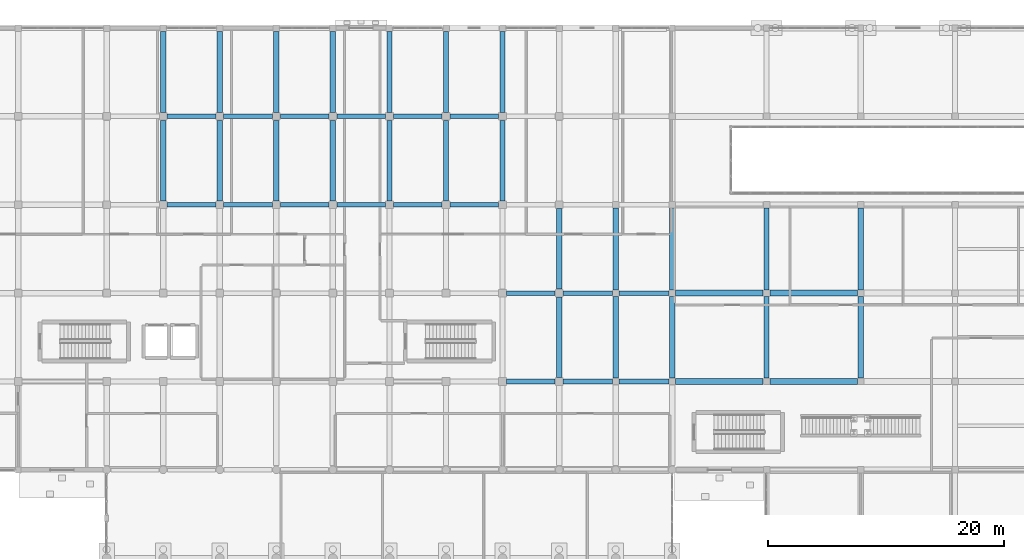
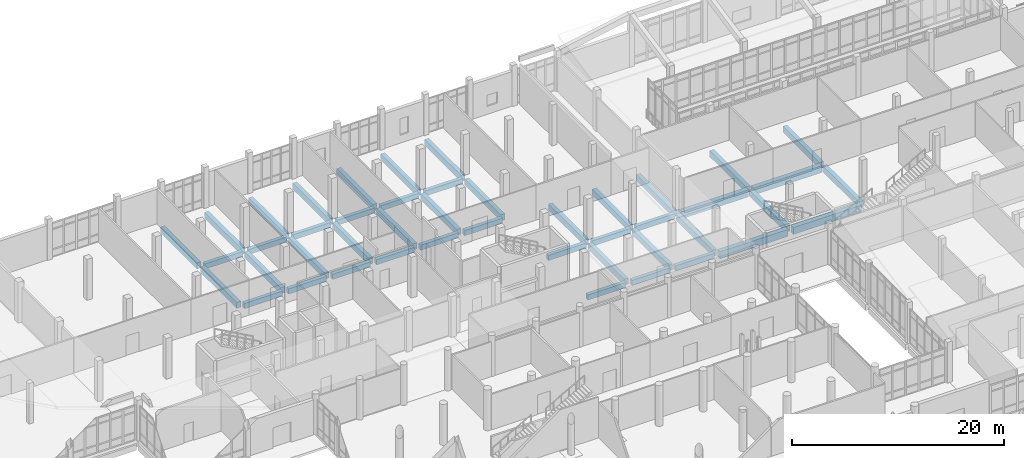
# One storey, part 80 of 173: 46 beams.
"""IFC4 building model written with IfcOpenShell, lengths in metres."""

from ifc_helpers import new_model, si_unit, direction, frame, origin, origin_2d, place, context, subcontext, project, spatial, rectangle, extrude, material, material_profile, profile_set, type_object, element, save


model = new_model("IFC4")

# Units and contexts
model_context = context("Model", 3, precision=1e-05, world=origin(), true_north=direction((0.0, 1.0)))
body_context = subcontext(model_context, "Body", "Model", "MODEL_VIEW")
ifc_project = project(units=[si_unit("LENGTHUNIT", "METRE"), si_unit("AREAUNIT", "SQUARE_METRE"), si_unit("VOLUMEUNIT", "CUBIC_METRE"), si_unit("PLANEANGLEUNIT", "RADIAN"), si_unit("MASSUNIT", "GRAM", prefix="KILO")], contexts=[model_context])

# Site, building, storey
site_placement = place(None, origin())
site = spatial("IfcSite", under=ifc_project, at=site_placement, CompositionType="ELEMENT")
building_placement = place(site_placement, origin())
building = spatial("IfcBuilding", under=site, at=building_placement, Name="Mawjan Specialist Oncology Clinic", CompositionType="ELEMENT")
storey_placement = place(building_placement, origin())
storey = spatial("IfcBuildingStorey", under=building, at=storey_placement, Name="L00", CompositionType="ELEMENT", Elevation=0.0)

# Beams
ifc_material_1 = material(Name="Concrete C40/50", Category="concrete")
ifc_material_profile_1 = material_profile(ifc_material_1, rectangle(XDim=0.39990234375, YDim=0.60009765625, at=origin_2d()), Name="RC BM 400x600", Category="concrete")
ifc_profile_set_1 = profile_set([ifc_material_profile_1], Name="Concrete C40/50")
beam_type_1 = type_object("IfcBeamType", Name="BM-400x600", PredefinedType="BEAM", material=ifc_profile_set_1)
beam_1_placement = place(storey_placement, frame((93.93505859375, 83.300048828125, -0.719970703125), z_axis=(1.0, 0.0, 0.0), x_axis=(0.0, 1.0, 0.0)))
element("IfcBeam", 1, at=beam_1_placement, inside=storey, type_object=beam_type_1, Name="L00 Collector Beam BM-L00-0035", PredefinedType="BEAM", context=body_context, shape_type="SweptSolid", body=[
    extrude(rectangle(XDim=0.39990234375, YDim=0.60009765625, at=origin_2d()), origin(), (0.0, 0.0, 1.0), 4.1298828125),
])
beam_2_placement = place(storey_placement, frame((98.735107421875, 83.300048828125, -0.719970703125), z_axis=(1.0, 0.0, 0.0), x_axis=(0.0, 1.0, 0.0)))
element("IfcBeam", 2, at=beam_2_placement, inside=storey, type_object=beam_type_1, Name="L00 Collector Beam BM-L00-0036", PredefinedType="BEAM", context=body_context, shape_type="SweptSolid", body=[
    extrude(rectangle(XDim=0.39990234375, YDim=0.60009765625, at=origin_2d()), origin(), (0.0, 0.0, 1.0), 4.179931640625),
])
beam_3_placement = place(storey_placement, frame((103.485107421875, 83.300048828125, -0.719970703125), z_axis=(1.0, 0.0, 0.0), x_axis=(0.0, 1.0, 0.0)))
element("IfcBeam", 3, at=beam_3_placement, inside=storey, type_object=beam_type_1, Name="L00 Collector Beam BM-L00-0037", PredefinedType="BEAM", context=body_context, shape_type="SweptSolid", body=[
    extrude(rectangle(XDim=0.39990234375, YDim=0.60009765625, at=origin_2d()), origin(), (0.0, 0.0, 1.0), 4.22998046875),
])
beam_4_placement = place(storey_placement, frame((93.93505859375, 90.800048828125, -0.719970703125), z_axis=(1.0, 0.0, 0.0), x_axis=(0.0, 1.0, 0.0)))
element("IfcBeam", 4, at=beam_4_placement, inside=storey, type_object=beam_type_1, Name="L00 Collector Beam BM-L00-0054", PredefinedType="BEAM", context=body_context, shape_type="SweptSolid", body=[
    extrude(rectangle(XDim=0.39990234375, YDim=0.60009765625, at=origin_2d()), origin(), (0.0, 0.0, 1.0), 4.1298828125),
])
beam_5_placement = place(storey_placement, frame((98.735107421875, 90.800048828125, -0.719970703125), z_axis=(1.0, 0.0, 0.0), x_axis=(0.0, 1.0, 0.0)))
element("IfcBeam", 5, at=beam_5_placement, inside=storey, type_object=beam_type_1, Name="L00 Collector Beam BM-L00-0055", PredefinedType="BEAM", context=body_context, shape_type="SweptSolid", body=[
    extrude(rectangle(XDim=0.39990234375, YDim=0.60009765625, at=origin_2d()), origin(), (0.0, 0.0, 1.0), 4.179931640625),
])
beam_6_placement = place(storey_placement, frame((103.485107421875, 90.800048828125, -0.719970703125), z_axis=(1.0, 0.0, 0.0), x_axis=(0.0, 1.0, 0.0)))
element("IfcBeam", 6, at=beam_6_placement, inside=storey, type_object=beam_type_1, Name="L00 Collector Beam BM-L00-0056", PredefinedType="BEAM", context=body_context, shape_type="SweptSolid", body=[
    extrude(rectangle(XDim=0.39990234375, YDim=0.60009765625, at=origin_2d()), origin(), (0.0, 0.0, 1.0), 4.22998046875),
])
for number, where, z_axis, x_axis, name in (
    (7, (65.135009765625, 98.300048828125, -0.719970703125), (1.0, 0.0, 0.0), (0.0, 1.0, 0.0), "L00 Collector Beam BM-L00-0067"),
    (8, (69.93505859375, 98.300048828125, -0.719970703125), (1.0, 0.0, 0.0), (0.0, 1.0, 0.0), "L00 Collector Beam BM-L00-0068"),
    (9, (74.735107421875, 98.300048828125, -0.719970703125), (1.0, 0.0, 0.0), (0.0, 1.0, 0.0), "L00 Collector Beam BM-L00-0069"),
):
    element("IfcBeam", number, at=place(storey_placement, frame(where, z_axis=z_axis, x_axis=x_axis)), inside=storey, type_object=beam_type_1, Name=name, PredefinedType="BEAM", context=body_context, shape_type="SweptSolid", body=[
        extrude(rectangle(XDim=0.39990234375, YDim=0.60009765625, at=origin_2d()), origin(), (0.0, 0.0, 1.0), 4.1298828125),
    ])
for number, where, z_axis, x_axis, name in (
    (10, (79.534912109375, 98.300048828125, -0.719970703125), (1.0, 0.0, 0.0), (0.0, 1.0, 0.0), "L00 Collector Beam BM-L00-0070"),
    (11, (84.3349609375, 98.300048828125, -0.719970703125), (1.0, 0.0, 0.0), (0.0, 1.0, 0.0), "L00 Collector Beam BM-L00-0071"),
):
    element("IfcBeam", number, at=place(storey_placement, frame(where, z_axis=z_axis, x_axis=x_axis)), inside=storey, type_object=beam_type_1, Name=name, PredefinedType="BEAM", context=body_context, shape_type="SweptSolid", body=[
        extrude(rectangle(XDim=0.39990234375, YDim=0.60009765625, at=origin_2d()), origin(), (0.0, 0.0, 1.0), 4.130126953125),
    ])
for number, where, z_axis, x_axis, name in (
    (12, (89.135009765625, 98.300048828125, -0.719970703125), (1.0, 0.0, 0.0), (0.0, 1.0, 0.0), "L00 Collector Beam BM-L00-0072"),
    (13, (65.135009765625, 105.800048828125, -0.719970703125), (1.0, 0.0, 0.0), (0.0, 1.0, 0.0), "L00 Collector Beam BM-L00-0086"),
    (14, (69.93505859375, 105.800048828125, -0.719970703125), (1.0, 0.0, 0.0), (0.0, 1.0, 0.0), "L00 Collector Beam BM-L00-0087"),
    (15, (74.735107421875, 105.800048828125, -0.719970703125), (1.0, 0.0, 0.0), (0.0, 1.0, 0.0), "L00 Collector Beam BM-L00-0088"),
):
    element("IfcBeam", number, at=place(storey_placement, frame(where, z_axis=z_axis, x_axis=x_axis)), inside=storey, type_object=beam_type_1, Name=name, PredefinedType="BEAM", context=body_context, shape_type="SweptSolid", body=[
        extrude(rectangle(XDim=0.39990234375, YDim=0.60009765625, at=origin_2d()), origin(), (0.0, 0.0, 1.0), 4.1298828125),
    ])
for number, where, z_axis, x_axis, name in (
    (16, (79.534912109375, 105.800048828125, -0.719970703125), (1.0, 0.0, 0.0), (0.0, 1.0, 0.0), "L00 Collector Beam BM-L00-0089"),
    (17, (84.3349609375, 105.800048828125, -0.719970703125), (1.0, 0.0, 0.0), (0.0, 1.0, 0.0), "L00 Collector Beam BM-L00-0090"),
):
    element("IfcBeam", number, at=place(storey_placement, frame(where, z_axis=z_axis, x_axis=x_axis)), inside=storey, type_object=beam_type_1, Name=name, PredefinedType="BEAM", context=body_context, shape_type="SweptSolid", body=[
        extrude(rectangle(XDim=0.39990234375, YDim=0.60009765625, at=origin_2d()), origin(), (0.0, 0.0, 1.0), 4.130126953125),
    ])
beam_7_placement = place(storey_placement, frame((89.135009765625, 105.800048828125, -0.719970703125), z_axis=(1.0, 0.0, 0.0), x_axis=(0.0, 1.0, 0.0)))
element("IfcBeam", 18, at=beam_7_placement, inside=storey, type_object=beam_type_1, Name="L00 Collector Beam BM-L00-0091", PredefinedType="BEAM", context=body_context, shape_type="SweptSolid", body=[
    extrude(rectangle(XDim=0.39990234375, YDim=0.60009765625, at=origin_2d()), origin(), (0.0, 0.0, 1.0), 4.1298828125),
])
ifc_material_2 = material(Name="Concrete C40/50", Category="concrete")
ifc_material_profile_2 = material_profile(ifc_material_2, rectangle(XDim=0.449951171875, YDim=0.699951171875, at=origin_2d()), Name="RC BM 450x700", Category="concrete")
ifc_profile_set_2 = profile_set([ifc_material_profile_2], Name="Concrete C40/50")
beam_type_2 = type_object("IfcBeamType", Name="BM-450x700", PredefinedType="BEAM", material=ifc_profile_set_2)
beam_8_placement = place(storey_placement, frame((64.800048828125, 98.635009765625, -0.77001953125), z_axis=(0.0, 1.0, 0.0), x_axis=(-1.0, 0.0, 0.0)))
element("IfcBeam", 19, at=beam_8_placement, inside=storey, type_object=beam_type_2, Name="L00 Collector Beam BM-L00-0138", PredefinedType="BEAM", context=body_context, shape_type="SweptSolid", body=[
    extrude(rectangle(XDim=0.449951171875, YDim=0.699951171875, at=origin_2d()), origin(), (0.0, 0.0, 1.0), 6.830078125),
])
beam_9_placement = place(storey_placement, frame((64.800048828125, 106.135009765625, -0.77001953125), z_axis=(0.0, 1.0, 0.0), x_axis=(-1.0, 0.0, 0.0)))
element("IfcBeam", 20, at=beam_9_placement, inside=storey, type_object=beam_type_2, Name="L00 Collector Beam BM-L00-0139", PredefinedType="BEAM", context=body_context, shape_type="SweptSolid", body=[
    extrude(rectangle(XDim=0.449951171875, YDim=0.699951171875, at=origin_2d()), origin(), (0.0, 0.0, 1.0), 6.8798828125),
])
beam_10_placement = place(storey_placement, frame((69.60009765625, 98.635009765625, -0.77001953125), z_axis=(0.0, 1.0, 0.0), x_axis=(-1.0, 0.0, 0.0)))
element("IfcBeam", 21, at=beam_10_placement, inside=storey, type_object=beam_type_2, Name="L00 Collector Beam BM-L00-0143", PredefinedType="BEAM", context=body_context, shape_type="SweptSolid", body=[
    extrude(rectangle(XDim=0.449951171875, YDim=0.699951171875, at=origin_2d()), origin(), (0.0, 0.0, 1.0), 6.830078125),
])
beam_11_placement = place(storey_placement, frame((69.60009765625, 106.135009765625, -0.77001953125), z_axis=(0.0, 1.0, 0.0), x_axis=(-1.0, 0.0, 0.0)))
element("IfcBeam", 22, at=beam_11_placement, inside=storey, type_object=beam_type_2, Name="L00 Collector Beam BM-L00-0144", PredefinedType="BEAM", context=body_context, shape_type="SweptSolid", body=[
    extrude(rectangle(XDim=0.449951171875, YDim=0.699951171875, at=origin_2d()), origin(), (0.0, 0.0, 1.0), 6.8798828125),
])
beam_12_placement = place(storey_placement, frame((74.39990234375, 98.635009765625, -0.77001953125), z_axis=(0.0, 1.0, 0.0), x_axis=(-1.0, 0.0, 0.0)))
element("IfcBeam", 23, at=beam_12_placement, inside=storey, type_object=beam_type_2, Name="L00 Collector Beam BM-L00-0148", PredefinedType="BEAM", context=body_context, shape_type="SweptSolid", body=[
    extrude(rectangle(XDim=0.449951171875, YDim=0.699951171875, at=origin_2d()), origin(), (0.0, 0.0, 1.0), 6.830078125),
])
beam_13_placement = place(storey_placement, frame((74.39990234375, 106.135009765625, -0.77001953125), z_axis=(0.0, 1.0, 0.0), x_axis=(-1.0, 0.0, 0.0)))
element("IfcBeam", 24, at=beam_13_placement, inside=storey, type_object=beam_type_2, Name="L00 Collector Beam BM-L00-0149", PredefinedType="BEAM", context=body_context, shape_type="SweptSolid", body=[
    extrude(rectangle(XDim=0.449951171875, YDim=0.699951171875, at=origin_2d()), origin(), (0.0, 0.0, 1.0), 6.8798828125),
])
beam_14_placement = place(storey_placement, frame((79.199951171875, 98.635009765625, -0.77001953125), z_axis=(0.0, 1.0, 0.0), x_axis=(-1.0, 0.0, 0.0)))
element("IfcBeam", 25, at=beam_14_placement, inside=storey, type_object=beam_type_2, Name="L00 Collector Beam BM-L00-0153", PredefinedType="BEAM", context=body_context, shape_type="SweptSolid", body=[
    extrude(rectangle(XDim=0.449951171875, YDim=0.699951171875, at=origin_2d()), origin(), (0.0, 0.0, 1.0), 6.830078125),
])
beam_15_placement = place(storey_placement, frame((79.199951171875, 106.135009765625, -0.77001953125), z_axis=(0.0, 1.0, 0.0), x_axis=(-1.0, 0.0, 0.0)))
element("IfcBeam", 26, at=beam_15_placement, inside=storey, type_object=beam_type_2, Name="L00 Collector Beam BM-L00-0154", PredefinedType="BEAM", context=body_context, shape_type="SweptSolid", body=[
    extrude(rectangle(XDim=0.449951171875, YDim=0.699951171875, at=origin_2d()), origin(), (0.0, 0.0, 1.0), 6.8798828125),
])
beam_16_placement = place(storey_placement, frame((84.0, 98.635009765625, -0.77001953125), z_axis=(0.0, 1.0, 0.0), x_axis=(-1.0, 0.0, 0.0)))
element("IfcBeam", 27, at=beam_16_placement, inside=storey, type_object=beam_type_2, Name="L00 Collector Beam BM-L00-0158", PredefinedType="BEAM", context=body_context, shape_type="SweptSolid", body=[
    extrude(rectangle(XDim=0.449951171875, YDim=0.699951171875, at=origin_2d()), origin(), (0.0, 0.0, 1.0), 6.830078125),
])
beam_17_placement = place(storey_placement, frame((84.0, 106.135009765625, -0.77001953125), z_axis=(0.0, 1.0, 0.0), x_axis=(-1.0, 0.0, 0.0)))
element("IfcBeam", 28, at=beam_17_placement, inside=storey, type_object=beam_type_2, Name="L00 Collector Beam BM-L00-0159", PredefinedType="BEAM", context=body_context, shape_type="SweptSolid", body=[
    extrude(rectangle(XDim=0.449951171875, YDim=0.699951171875, at=origin_2d()), origin(), (0.0, 0.0, 1.0), 6.8798828125),
])
beam_18_placement = place(storey_placement, frame((88.800048828125, 98.635009765625, -0.77001953125), z_axis=(0.0, 1.0, 0.0), x_axis=(-1.0, 0.0, 0.0)))
element("IfcBeam", 29, at=beam_18_placement, inside=storey, type_object=beam_type_2, Name="L00 Collector Beam BM-L00-0162", PredefinedType="BEAM", context=body_context, shape_type="SweptSolid", body=[
    extrude(rectangle(XDim=0.449951171875, YDim=0.699951171875, at=origin_2d()), origin(), (0.0, 0.0, 1.0), 6.830078125),
])
beam_19_placement = place(storey_placement, frame((88.800048828125, 106.135009765625, -0.77001953125), z_axis=(0.0, 1.0, 0.0), x_axis=(-1.0, 0.0, 0.0)))
element("IfcBeam", 30, at=beam_19_placement, inside=storey, type_object=beam_type_2, Name="L00 Collector Beam BM-L00-0163", PredefinedType="BEAM", context=body_context, shape_type="SweptSolid", body=[
    extrude(rectangle(XDim=0.449951171875, YDim=0.699951171875, at=origin_2d()), origin(), (0.0, 0.0, 1.0), 6.8798828125),
])
beam_20_placement = place(storey_placement, frame((93.60009765625, 98.635009765625, -0.77001953125), z_axis=(0.0, 1.0, 0.0), x_axis=(-1.0, 0.0, 0.0)))
element("IfcBeam", 31, at=beam_20_placement, inside=storey, type_object=beam_type_2, Name="L00 Collector Beam BM-L00-0167", PredefinedType="BEAM", context=body_context, shape_type="SweptSolid", body=[
    extrude(rectangle(XDim=0.449951171875, YDim=0.699951171875, at=origin_2d()), origin(), (0.0, 0.0, 1.0), 6.830078125),
])
beam_21_placement = place(storey_placement, frame((93.60009765625, 106.135009765625, -0.77001953125), z_axis=(0.0, 1.0, 0.0), x_axis=(-1.0, 0.0, 0.0)))
element("IfcBeam", 32, at=beam_21_placement, inside=storey, type_object=beam_type_2, Name="L00 Collector Beam BM-L00-0168", PredefinedType="BEAM", context=body_context, shape_type="SweptSolid", body=[
    extrude(rectangle(XDim=0.449951171875, YDim=0.699951171875, at=origin_2d()), origin(), (0.0, 0.0, 1.0), 6.8798828125),
])
for number, where, z_axis, x_axis, name in (
    (33, (98.39990234375, 83.635009765625, -0.77001953125), (0.0, 1.0, 0.0), (-1.0, 0.0, 0.0), "L00 Collector Beam BM-L00-0170"),
    (34, (98.39990234375, 91.135009765625, -0.77001953125), (0.0, 1.0, 0.0), (-1.0, 0.0, 0.0), "L00 Collector Beam BM-L00-0171"),
):
    element("IfcBeam", number, at=place(storey_placement, frame(where, z_axis=z_axis, x_axis=x_axis)), inside=storey, type_object=beam_type_2, Name=name, PredefinedType="BEAM", context=body_context, shape_type="SweptSolid", body=[
        extrude(rectangle(XDim=0.449951171875, YDim=0.699951171875, at=origin_2d()), origin(), (0.0, 0.0, 1.0), 6.830078125),
    ])
for number, where, z_axis, x_axis, name in (
    (35, (103.199951171875, 83.5849609375, -0.77001953125), (0.0, 1.0, 0.0), (-1.0, 0.0, 0.0), "L00 Collector Beam BM-L00-0175"),
    (36, (103.199951171875, 91.0849609375, -0.77001953125), (0.0, 1.0, 0.0), (-1.0, 0.0, 0.0), "L00 Collector Beam BM-L00-0176"),
    (37, (108.0, 83.5849609375, -0.77001953125), (0.0, 1.0, 0.0), (-1.0, 0.0, 0.0), "L00 Collector Beam BM-L00-0180"),
    (38, (108.0, 91.0849609375, -0.77001953125), (0.0, 1.0, 0.0), (-1.0, 0.0, 0.0), "L00 Collector Beam BM-L00-0181"),
    (39, (116.0, 83.5849609375, -0.800048828125), (0.0, 1.0, 0.0), (-1.0, 0.0, 0.0), "L00 Collector Beam BM-L00-0187"),
    (40, (116.0, 91.0849609375, -0.800048828125), (0.0, 1.0, 0.0), (-1.0, 0.0, 0.0), "L00 Collector Beam BM-L00-0188"),
    (41, (124.0, 83.5849609375, -0.800048828125), (0.0, 1.0, 0.0), (-1.0, 0.0, 0.0), "L00 Collector Beam BM-L00-0192"),
    (42, (124.0, 91.0849609375, -0.800048828125), (0.0, 1.0, 0.0), (-1.0, 0.0, 0.0), "L00 Collector Beam BM-L00-0193"),
):
    element("IfcBeam", number, at=place(storey_placement, frame(where, z_axis=z_axis, x_axis=x_axis)), inside=storey, type_object=beam_type_2, Name=name, PredefinedType="BEAM", context=body_context, shape_type="SweptSolid", body=[
        extrude(rectangle(XDim=0.449951171875, YDim=0.699951171875, at=origin_2d()), origin(), (0.0, 0.0, 1.0), 6.929931640625),
    ])
ifc_material_3 = material(Name="Concrete C45/55", Category="concrete")
ifc_material_profile_3 = material_profile(ifc_material_3, rectangle(XDim=0.5, YDim=0.800048828125, at=origin_2d()), Name="RC BM 500x800", Category="concrete")
ifc_profile_set_3 = profile_set([ifc_material_profile_3], Name="Concrete C45/55")
beam_type_3 = type_object("IfcBeamType", Name="BM-500x800", PredefinedType="BEAM", material=ifc_profile_set_3)
for number, where, z_axis, x_axis, name in (
    (43, (108.284912109375, 83.300048828125, -0.85009765625), (1.0, 0.0, 0.0), (0.0, 1.0, 0.0), "L00 Collector Beam BM-L00-0038"),
    (44, (116.284912109375, 83.300048828125, -0.85009765625), (1.0, 0.0, 0.0), (0.0, 1.0, 0.0), "L00 Collector Beam BM-L00-0039"),
    (45, (108.284912109375, 90.800048828125, -0.85009765625), (1.0, 0.0, 0.0), (0.0, 1.0, 0.0), "L00 Collector Beam BM-L00-0057"),
    (46, (116.284912109375, 90.800048828125, -0.85009765625), (1.0, 0.0, 0.0), (0.0, 1.0, 0.0), "L00 Collector Beam BM-L00-0058"),
):
    element("IfcBeam", number, at=place(storey_placement, frame(where, z_axis=z_axis, x_axis=x_axis)), inside=storey, type_object=beam_type_3, Name=name, PredefinedType="BEAM", context=body_context, shape_type="SweptSolid", body=[
        extrude(rectangle(XDim=0.5, YDim=0.800048828125, at=origin_2d()), origin(), (0.0, 0.0, 1.0), 7.43017578125),
    ])

save(model, "model.ifc")
